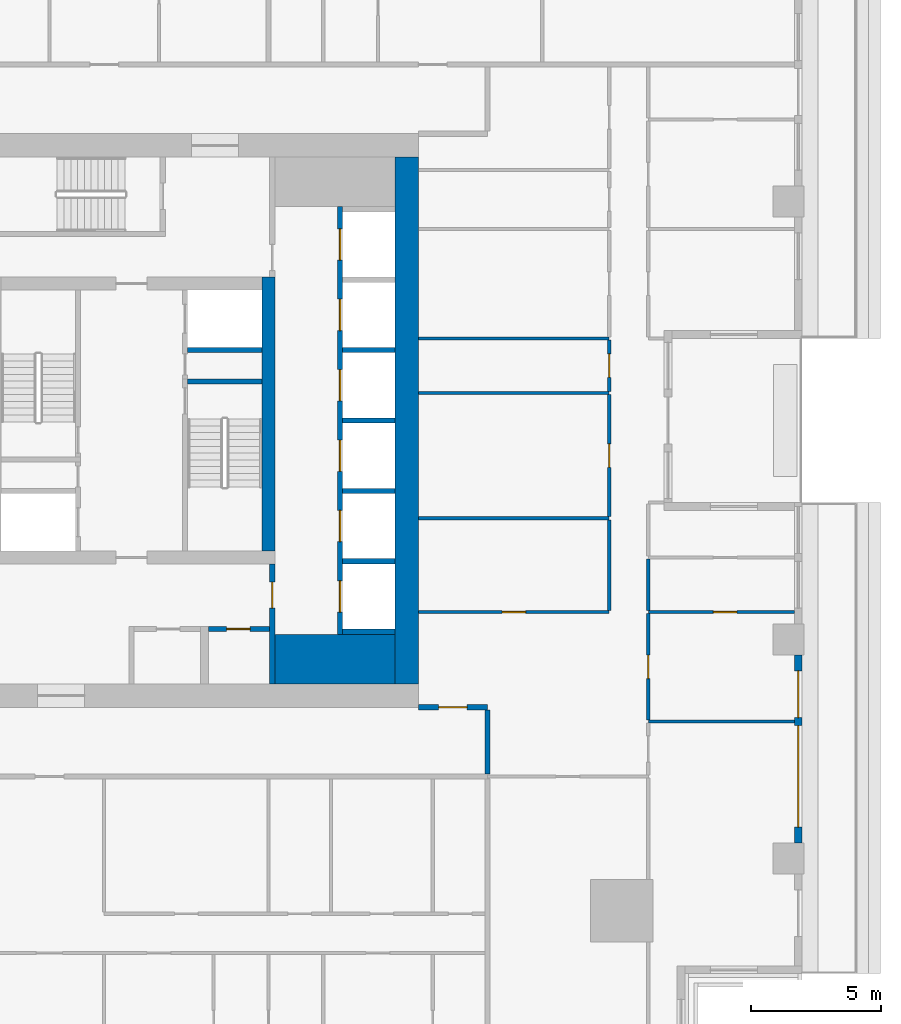
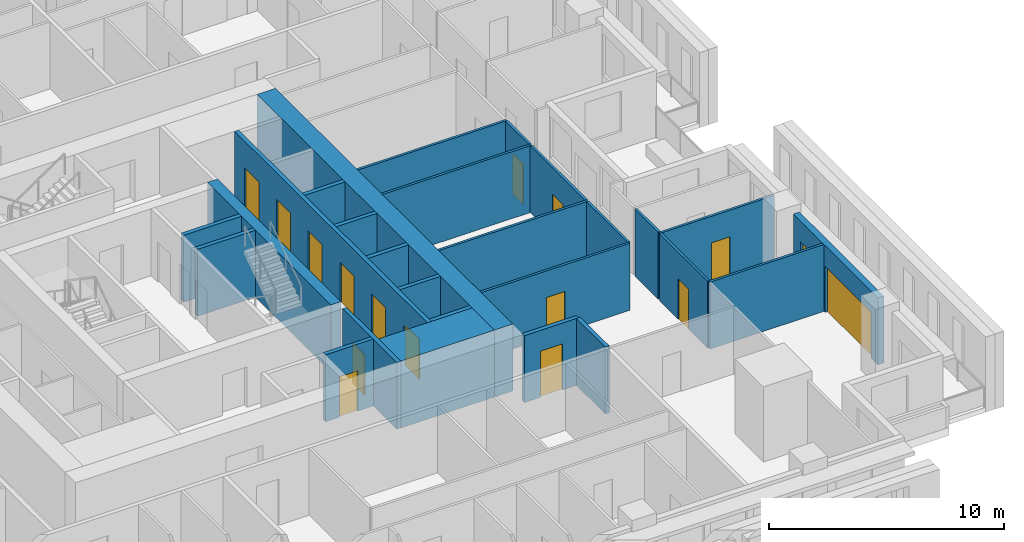
# One storey, part 6 of 17: 27 walls, 16 doors, 16 openings.
"""IFC4 building model written with IfcOpenShell, lengths in metres."""

from ifc_helpers import new_model, si_unit, direction, frame, frame_2d, origin, place, context, subcontext, project, spatial, rectangle, extrude, material, layer, layer_set, type_object, element, fill, save


model = new_model("IFC4")

# Units and contexts
model_context = context("Model", 3, precision=1e-05, world=origin(), true_north=direction((0.0, 1.0)))
body_context = subcontext(model_context, "Body", "Model", "MODEL_VIEW")
ifc_project = project(units=[si_unit("LENGTHUNIT", "METRE"), si_unit("AREAUNIT", "SQUARE_METRE"), si_unit("VOLUMEUNIT", "CUBIC_METRE"), si_unit("PLANEANGLEUNIT", "RADIAN"), si_unit("MASSUNIT", "GRAM", prefix="KILO")], contexts=[model_context])

# Site, building, storey
site_placement = place(None, origin())
site = spatial("IfcSite", under=ifc_project, at=site_placement, CompositionType="ELEMENT")
building_placement = place(site_placement, origin())
building = spatial("IfcBuilding", under=site, at=building_placement, Name="Khepri Terraces", CompositionType="ELEMENT")
storey_placement = place(building_placement, frame((0.0, 0.0, 188.39990234375)))
storey = spatial("IfcBuildingStorey", under=building, at=storey_placement, Name="L44", CompositionType="ELEMENT", Elevation=188.39990234375)

# Walls
ifc_material_1 = material(Name="Concrete C50/60", Category="concrete")
ifc_layer_1 = layer(ifc_material_1, 1.89990234375, Name="Concrete C50/60", Category="concrete")
ifc_layer_set_1 = layer_set([ifc_layer_1], Name="Concrete C50/60")
wall_type_1 = type_object("IfcWallType", Name="Core wall 1900 C50/60", PredefinedType="SHEAR", material=ifc_layer_set_1)
wall_1_placement = place(storey_placement, frame((5.5, -9.14990234375, 0.0), z_axis=(0.0, 0.0, 1.0), x_axis=(1.0, 0.0, 0.0)))
element("IfcWall", 1, at=wall_1_placement, inside=storey, type_object=wall_type_1, Name="Core wall PR02 L44", PredefinedType="SHEAR", context=body_context, shape_type="SweptSolid", body=[
    extrude(rectangle(XDim=4.60009765625, YDim=1.89990234375, at=frame_2d((2.300048828125, 0.0))), origin(), (0.0, 0.0, 1.0), 3.47998046875),
])
ifc_layer_2 = layer(ifc_material_1, 0.199951171875, Name="Concrete C50/60", Category="concrete")
ifc_layer_set_2 = layer_set([ifc_layer_2], Name="Concrete C50/60")
wall_type_2 = type_object("IfcWallType", Name="Core wall 200 C50/60", PredefinedType="SHEAR", material=ifc_layer_set_2)
wall_2_placement = place(storey_placement, frame((2.14990234375, 1.5, 0.0), z_axis=(0.0, 0.0, 1.0), x_axis=(1.0, 0.0, 0.0)))
element("IfcWall", 2, at=wall_2_placement, inside=storey, type_object=wall_type_2, Name="Core wall ST04 L44", PredefinedType="SHEAR", context=body_context, shape_type="SweptSolid", body=[
    extrude(rectangle(XDim=2.85009765625, YDim=0.199951171875, at=frame_2d((1.425048828125, 0.0))), origin(), (0.0, 0.0, 1.0), 3.47998046875),
])

# Wall, openings, doors
wall_3_placement = place(storey_placement, frame((8.0, -8.199951171875, 0.0), z_axis=(0.0, 0.0, 1.0), x_axis=(0.0, 1.0, 0.0)))
wall_3 = element("IfcWall", 3, at=wall_3_placement, inside=storey, type_object=wall_type_2, Name="Core wall SH02 L44", PredefinedType="SHEAR", context=body_context, shape_type="SweptSolid", body=[
    extrude(rectangle(XDim=16.39990234375, YDim=0.199951171875, at=frame_2d((8.199951171875, 0.0))), origin(), (0.0, 0.0, 1.0), 3.47998046875),
])
opening_1_placement = place(wall_3_placement, frame((0.85009765625, 0.0, 0.0)))
opening_1 = element("IfcOpeningElement", 4, at=opening_1_placement, cuts=wall_3, Name="Opening L44-C01", PredefinedType="OPENING", context=body_context, shape_type="SweptSolid", body=[
    extrude(rectangle(XDim=1.199951171875, YDim=2.10009765625, at=frame_2d((0.60009765625, 1.050048828125))), frame((0.0, 0.10986328125, 0.0), z_axis=(0.0, -1.0, 0.0), x_axis=(1.0, 0.0, 0.0)), (0.0, 0.0, 1.0), 0.219970703125),
])
opening_2_placement = place(wall_3_placement, frame((3.550048828125, 0.0, 0.0)))
opening_2 = element("IfcOpeningElement", 5, at=opening_2_placement, cuts=wall_3, Name="Opening L44-C02", PredefinedType="OPENING", context=body_context, shape_type="SweptSolid", body=[
    extrude(rectangle(XDim=1.199951171875, YDim=2.10009765625, at=frame_2d((0.60009765625, 1.050048828125))), frame((0.0, 0.10986328125, 0.0), z_axis=(0.0, -1.0, 0.0), x_axis=(1.0, 0.0, 0.0)), (0.0, 0.0, 1.0), 0.219970703125),
])
opening_3_placement = place(wall_3_placement, frame((6.25, 0.0, 0.0)))
opening_3 = element("IfcOpeningElement", 6, at=opening_3_placement, cuts=wall_3, Name="Opening L44-C03", PredefinedType="OPENING", context=body_context, shape_type="SweptSolid", body=[
    extrude(rectangle(XDim=1.199951171875, YDim=2.10009765625, at=frame_2d((0.60009765625, 1.050048828125))), frame((0.0, 0.10986328125, 0.0), z_axis=(0.0, -1.0, 0.0), x_axis=(1.0, 0.0, 0.0)), (0.0, 0.0, 1.0), 0.219970703125),
])
opening_4_placement = place(wall_3_placement, frame((8.949951171875, 0.0, 0.0)))
opening_4 = element("IfcOpeningElement", 7, at=opening_4_placement, cuts=wall_3, Name="Opening L44-C04", PredefinedType="OPENING", context=body_context, shape_type="SweptSolid", body=[
    extrude(rectangle(XDim=1.199951171875, YDim=2.10009765625, at=frame_2d((0.60009765625, 1.050048828125))), frame((0.0, 0.10986328125, 0.0), z_axis=(0.0, -1.0, 0.0), x_axis=(1.0, 0.0, 0.0)), (0.0, 0.0, 1.0), 0.219970703125),
])
opening_5_placement = place(wall_3_placement, frame((11.64990234375, 0.0, 0.0)))
opening_5 = element("IfcOpeningElement", 8, at=opening_5_placement, cuts=wall_3, Name="Opening L44-C05", PredefinedType="OPENING", context=body_context, shape_type="SweptSolid", body=[
    extrude(rectangle(XDim=1.199951171875, YDim=2.10009765625, at=frame_2d((0.60009765625, 1.050048828125))), frame((0.0, 0.10986328125, 0.0), z_axis=(0.0, -1.0, 0.0), x_axis=(1.0, 0.0, 0.0)), (0.0, 0.0, 1.0), 0.219970703125),
])
opening_6_placement = place(wall_3_placement, frame((14.35009765625, 0.0, 0.0)))
opening_6 = element("IfcOpeningElement", 9, at=opening_6_placement, cuts=wall_3, Name="Opening L44-C06", PredefinedType="OPENING", context=body_context, shape_type="SweptSolid", body=[
    extrude(rectangle(XDim=1.199951171875, YDim=2.10009765625, at=frame_2d((0.60009765625, 1.050048828125))), frame((0.0, 0.10986328125, 0.0), z_axis=(0.0, -1.0, 0.0), x_axis=(1.0, 0.0, 0.0)), (0.0, 0.0, 1.0), 0.219970703125),
])
ifc_material_2 = material(Name="Stainless steel 304", Category="steel")
door_type_1 = type_object("IfcDoorType", Name="DR-CORE-LANDING-1200", OperationType="NOTDEFINED", PredefinedType="DOOR", material=ifc_material_2)
door_1_placement = place(opening_1_placement, origin())
door_1 = element("IfcDoor", 10, at=door_1_placement, inside=storey, type_object=door_type_1, Name="Lift landing door L44-C01", OperationType="SLIDING_TO_LEFT", OverallHeight=2.10009765625, OverallWidth=1.199951171875, PredefinedType="DOOR", context=body_context, shape_type="SweptSolid", body=[
    extrude(rectangle(XDim=1.199951171875, YDim=2.10009765625, at=frame_2d((0.60009765625, 1.050048828125))), frame((0.0, 0.02490234375, 0.0), z_axis=(0.0, -1.0, 0.0), x_axis=(1.0, 0.0, 0.0)), (0.0, 0.0, 1.0), 0.050048828125),
])
fill(opening_1, door_1)
door_2_placement = place(opening_2_placement, origin())
door_2 = element("IfcDoor", 11, at=door_2_placement, inside=storey, type_object=door_type_1, Name="Lift landing door L44-C02", OperationType="SLIDING_TO_LEFT", OverallHeight=2.10009765625, OverallWidth=1.199951171875, PredefinedType="DOOR", context=body_context, shape_type="SweptSolid", body=[
    extrude(rectangle(XDim=1.199951171875, YDim=2.10009765625, at=frame_2d((0.60009765625, 1.050048828125))), frame((0.0, 0.02490234375, 0.0), z_axis=(0.0, -1.0, 0.0), x_axis=(1.0, 0.0, 0.0)), (0.0, 0.0, 1.0), 0.050048828125),
])
fill(opening_2, door_2)
door_3_placement = place(opening_3_placement, origin())
door_3 = element("IfcDoor", 12, at=door_3_placement, inside=storey, type_object=door_type_1, Name="Lift landing door L44-C03", OperationType="SLIDING_TO_LEFT", OverallHeight=2.10009765625, OverallWidth=1.199951171875, PredefinedType="DOOR", context=body_context, shape_type="SweptSolid", body=[
    extrude(rectangle(XDim=1.199951171875, YDim=2.10009765625, at=frame_2d((0.60009765625, 1.050048828125))), frame((0.0, 0.02490234375, 0.0), z_axis=(0.0, -1.0, 0.0), x_axis=(1.0, 0.0, 0.0)), (0.0, 0.0, 1.0), 0.050048828125),
])
fill(opening_3, door_3)
door_4_placement = place(opening_4_placement, origin())
door_4 = element("IfcDoor", 13, at=door_4_placement, inside=storey, type_object=door_type_1, Name="Lift landing door L44-C04", OperationType="SLIDING_TO_LEFT", OverallHeight=2.10009765625, OverallWidth=1.199951171875, PredefinedType="DOOR", context=body_context, shape_type="SweptSolid", body=[
    extrude(rectangle(XDim=1.199951171875, YDim=2.10009765625, at=frame_2d((0.60009765625, 1.050048828125))), frame((0.0, 0.02490234375, 0.0), z_axis=(0.0, -1.0, 0.0), x_axis=(1.0, 0.0, 0.0)), (0.0, 0.0, 1.0), 0.050048828125),
])
fill(opening_4, door_4)
door_5_placement = place(opening_5_placement, origin())
door_5 = element("IfcDoor", 14, at=door_5_placement, inside=storey, type_object=door_type_1, Name="Lift landing door L44-C05", OperationType="SLIDING_TO_LEFT", OverallHeight=2.10009765625, OverallWidth=1.199951171875, PredefinedType="DOOR", context=body_context, shape_type="SweptSolid", body=[
    extrude(rectangle(XDim=1.199951171875, YDim=2.10009765625, at=frame_2d((0.60009765625, 1.050048828125))), frame((0.0, 0.02490234375, 0.0), z_axis=(0.0, -1.0, 0.0), x_axis=(1.0, 0.0, 0.0)), (0.0, 0.0, 1.0), 0.050048828125),
])
fill(opening_5, door_5)
door_6_placement = place(opening_6_placement, origin())
door_6 = element("IfcDoor", 15, at=door_6_placement, inside=storey, type_object=door_type_1, Name="Lift landing door L44-C06", OperationType="SLIDING_TO_LEFT", OverallHeight=2.10009765625, OverallWidth=1.199951171875, PredefinedType="DOOR", context=body_context, shape_type="SweptSolid", body=[
    extrude(rectangle(XDim=1.199951171875, YDim=2.10009765625, at=frame_2d((0.60009765625, 1.050048828125))), frame((0.0, 0.02490234375, 0.0), z_axis=(0.0, -1.0, 0.0), x_axis=(1.0, 0.0, 0.0)), (0.0, 0.0, 1.0), 0.050048828125),
])
fill(opening_6, door_6)

# Walls
for number, where, z_axis, x_axis, name in (
    (16, (8.10009765625, -8.10009765625, 0.0), (0.0, 0.0, 1.0), (1.0, 0.0, 0.0), "Core wall SH03 L44"),
    (17, (8.10009765625, -5.39990234375, 0.0), (0.0, 0.0, 1.0), (1.0, 0.0, 0.0), "Core wall SH04 L44"),
    (18, (8.10009765625, -2.699951171875, 0.0), (0.0, 0.0, 1.0), (1.0, 0.0, 0.0), "Core wall SH08 L44"),
    (19, (8.10009765625, 0.0, 0.0), (0.0, 0.0, 1.0), (1.0, 0.0, 0.0), "Core wall SH09 L44"),
):
    element("IfcWall", number, at=place(storey_placement, frame(where, z_axis=z_axis, x_axis=x_axis)), inside=storey, type_object=wall_type_2, Name=name, PredefinedType="SHEAR", context=body_context, shape_type="SweptSolid", body=[
        extrude(rectangle(XDim=2.0, YDim=0.199951171875, at=frame_2d((1.0, 0.0))), origin(), (0.0, 0.0, 1.0), 3.47998046875),
    ])
wall_4_placement = place(storey_placement, frame((2.14990234375, 2.699951171875, 0.0), z_axis=(0.0, 0.0, 1.0), x_axis=(1.0, 0.0, 0.0)))
element("IfcWall", 20, at=wall_4_placement, inside=storey, type_object=wall_type_2, Name="Core wall SH12 L44", PredefinedType="SHEAR", context=body_context, shape_type="SweptSolid", body=[
    extrude(rectangle(XDim=2.85009765625, YDim=0.199951171875, at=frame_2d((1.425048828125, 0.0))), origin(), (0.0, 0.0, 1.0), 3.47998046875),
])
wall_5_placement = place(storey_placement, frame((8.10009765625, 2.699951171875, 0.0), z_axis=(0.0, 0.0, 1.0), x_axis=(1.0, 0.0, 0.0)))
element("IfcWall", 21, at=wall_5_placement, inside=storey, type_object=wall_type_2, Name="Core wall SH13 L44", PredefinedType="SHEAR", context=body_context, shape_type="SweptSolid", body=[
    extrude(rectangle(XDim=2.0, YDim=0.199951171875, at=frame_2d((1.0, 0.0))), origin(), (0.0, 0.0, 1.0), 3.47998046875),
])
ifc_layer_3 = layer(ifc_material_1, 0.5, Name="Concrete C50/60", Category="concrete")
ifc_layer_set_3 = layer_set([ifc_layer_3], Name="Concrete C50/60")
wall_type_3 = type_object("IfcWallType", Name="Core wall 500 C50/60", PredefinedType="SHEAR", material=ifc_layer_set_3)
wall_6_placement = place(storey_placement, frame((5.25, -5.0, 0.0), z_axis=(0.0, 0.0, 1.0), x_axis=(0.0, 1.0, 0.0)))
element("IfcWall", 22, at=wall_6_placement, inside=storey, type_object=wall_type_3, Name="Core wall BX03 L44", PredefinedType="SHEAR", context=body_context, shape_type="SweptSolid", body=[
    extrude(rectangle(XDim=10.5, YDim=0.5, at=frame_2d((5.25, 0.0))), origin(), (0.0, 0.0, 1.0), 3.47998046875),
])
ifc_layer_4 = layer(ifc_material_1, 0.89990234375, Name="Concrete C50/60", Category="concrete")
ifc_layer_set_4 = layer_set([ifc_layer_4], Name="Concrete C50/60")
wall_type_4 = type_object("IfcWallType", Name="Core wall 900 C50/60", PredefinedType="SHEAR", material=ifc_layer_set_4)
wall_7_placement = place(storey_placement, frame((10.550048828125, -10.10009765625, 0.0), z_axis=(0.0, 0.0, 1.0), x_axis=(0.0, 1.0, 0.0)))
element("IfcWall", 23, at=wall_7_placement, inside=storey, type_object=wall_type_4, Name="Core wall OW-E L44", PredefinedType="SHEAR", context=body_context, shape_type="SweptSolid", body=[
    extrude(rectangle(XDim=20.2001953125, YDim=0.89990234375, at=frame_2d((10.10009765625, 0.0))), origin(), (0.0, 0.0, 1.0), 3.47998046875),
])

# Wall, opening, door
ifc_material_3 = material(Name="Fire-rated gypsum board partition")
ifc_layer_5 = layer(ifc_material_3, 0.199951171875, Name="Fire-rated gypsum board partition")
ifc_layer_set_5 = layer_set([ifc_layer_5], Name="Fire-rated gypsum board partition")
wall_type_5 = type_object("IfcWallType", Name="WL-CORE-PART-200", PredefinedType="PARTITIONING", material=ifc_layer_set_5)
wall_8_placement = place(storey_placement, frame((5.39990234375, -10.10009765625, 0.0), z_axis=(0.0, 0.0, 1.0), x_axis=(0.0, 1.0, 0.0)))
wall_8 = element("IfcWall", 24, at=wall_8_placement, inside=storey, type_object=wall_type_5, Name="Core partition PT04 L44", PredefinedType="PARTITIONING", context=body_context, shape_type="SweptSolid", body=[
    extrude(rectangle(XDim=4.60009765625, YDim=0.199951171875, at=frame_2d((2.300048828125, 0.0))), origin(), (0.0, 0.0, 1.0), 3.47998046875),
])
opening_7_placement = place(wall_8_placement, frame((2.89990234375, 0.0, 0.0)))
opening_7 = element("IfcOpeningElement", 25, at=opening_7_placement, cuts=wall_8, Name="Opening L44-C19", PredefinedType="OPENING", context=body_context, shape_type="SweptSolid", body=[
    extrude(rectangle(XDim=1.0, YDim=2.10009765625, at=frame_2d((0.5, 1.050048828125))), frame((0.0, 0.10986328125, 0.0), z_axis=(0.0, -1.0, 0.0), x_axis=(1.0, 0.0, 0.0)), (0.0, 0.0, 1.0), 0.219970703125),
])
ifc_material_4 = material(Name="Painted steel", Category="steel")
door_type_2 = type_object("IfcDoorType", Name="DR-CORE-LOBBY-1000", OperationType="NOTDEFINED", PredefinedType="DOOR", material=ifc_material_4)
door_7_placement = place(opening_7_placement, origin())
door_7 = element("IfcDoor", 26, at=door_7_placement, inside=storey, type_object=door_type_2, Name="Lobby door L44-C19", OperationType="SINGLE_SWING_RIGHT", OverallHeight=2.10009765625, OverallWidth=1.0, PredefinedType="DOOR", context=body_context, shape_type="SweptSolid", body=[
    extrude(rectangle(XDim=1.0, YDim=2.10009765625, at=frame_2d((0.5, 1.050048828125))), frame((0.0, 0.02490234375, 0.0), z_axis=(0.0, -1.0, 0.0), x_axis=(1.0, 0.0, 0.0)), (0.0, 0.0, 1.0), 0.050048828125),
])
fill(opening_7, door_7)

wall_9_placement = place(storey_placement, frame((2.949951171875, -8.0, 0.0), z_axis=(0.0, 0.0, 1.0), x_axis=(1.0, 0.0, 0.0)))
wall_9 = element("IfcWall", 27, at=wall_9_placement, inside=storey, type_object=wall_type_5, Name="Core partition PT07 L44", PredefinedType="PARTITIONING", context=body_context, shape_type="SweptSolid", body=[
    extrude(rectangle(XDim=2.35009765625, YDim=0.199951171875, at=frame_2d((1.175048828125, 0.0))), origin(), (0.0, 0.0, 1.0), 3.47998046875),
])
opening_8_placement = place(wall_9_placement, frame((0.699951171875, 0.0, 0.0)))
opening_8 = element("IfcOpeningElement", 28, at=opening_8_placement, cuts=wall_9, Name="Opening L44-C23", PredefinedType="OPENING", context=body_context, shape_type="SweptSolid", body=[
    extrude(rectangle(XDim=0.89990234375, YDim=2.10009765625, at=frame_2d((0.449951171875, 1.050048828125))), frame((0.0, 0.10986328125, 0.0), z_axis=(0.0, -1.0, 0.0), x_axis=(1.0, 0.0, 0.0)), (0.0, 0.0, 1.0), 0.219970703125),
])
door_type_3 = type_object("IfcDoorType", Name="DR-CORE-SERVICE-900", OperationType="NOTDEFINED", PredefinedType="DOOR", material=ifc_material_4)
door_8_placement = place(opening_8_placement, frame((0.89990234375, 0.0, 0.0), z_axis=(0.0, 0.0, 1.0), x_axis=(-1.0, 0.0, 0.0)))
door_8 = element("IfcDoor", 29, at=door_8_placement, inside=storey, type_object=door_type_3, Name="Service room door L44-C23", OperationType="SINGLE_SWING_RIGHT", OverallHeight=2.10009765625, OverallWidth=0.89990234375, PredefinedType="DOOR", context=body_context, shape_type="SweptSolid", body=[
    extrude(rectangle(XDim=0.89990234375, YDim=2.10009765625, at=frame_2d((0.449951171875, 1.050048828125))), frame((0.0, 0.02490234375, 0.0), z_axis=(0.0, -1.0, 0.0), x_axis=(1.0, 0.0, 0.0)), (0.0, 0.0, 1.0), 0.050048828125),
])
fill(opening_8, door_8)

# Wall
ifc_material_5 = material(Name="Fire-rated gypsum plasterboard partition, mineral wool")
ifc_layer_6 = layer(ifc_material_5, 0.199951171875, Name="Fire-rated gypsum plasterboard partition, mineral wool")
ifc_layer_set_6 = layer_set([ifc_layer_6], Name="Fire-rated gypsum plasterboard partition, mineral wool")
wall_type_6 = type_object("IfcWallType", Name="WL-CORR-200", PredefinedType="PARTITIONING", material=ifc_layer_set_6)
wall_10_placement = place(storey_placement, frame((13.64990234375, -13.550048828125, 0.0), z_axis=(0.0, 0.0, 1.0), x_axis=(0.0, 1.0, 0.0)))
element("IfcWall", 30, at=wall_10_placement, inside=storey, type_object=wall_type_6, Name="Partition P-030 L44", PredefinedType="PARTITIONING", context=body_context, shape_type="SweptSolid", body=[
    extrude(rectangle(XDim=2.449951171875, YDim=0.199951171875, at=frame_2d((1.22509765625, 0.0))), origin(), (0.0, 0.0, 1.0), 3.47998046875),
])

# Wall, opening, door
wall_11_placement = place(storey_placement, frame((11.0, -11.0, 0.0), z_axis=(0.0, 0.0, 1.0), x_axis=(1.0, 0.0, 0.0)))
wall_11 = element("IfcWall", 31, at=wall_11_placement, inside=storey, type_object=wall_type_6, Name="Partition P-035 L44", PredefinedType="PARTITIONING", context=body_context, shape_type="SweptSolid", body=[
    extrude(rectangle(XDim=2.64990234375, YDim=0.199951171875, at=frame_2d((1.324951171875, 0.0))), origin(), (0.0, 0.0, 1.0), 3.47998046875),
])
opening_9_placement = place(wall_11_placement, frame((0.77490234375, 0.0, 0.0)))
opening_9 = element("IfcOpeningElement", 32, at=opening_9_placement, cuts=wall_11, Name="Opening D1", PredefinedType="OPENING", context=body_context, shape_type="SweptSolid", body=[
    extrude(rectangle(XDim=1.10009765625, YDim=2.39990234375, at=frame_2d((0.550048828125, 1.199951171875))), frame((0.0, 0.10986328125, 0.0), z_axis=(0.0, -1.0, 0.0), x_axis=(1.0, 0.0, 0.0)), (0.0, 0.0, 1.0), 0.219970703125),
])
ifc_material_6 = material(Name="Solid-core timber door leaf, flat entrance door", Category="wood")
door_type_4 = type_object("IfcDoorType", Name="DR-ENT-1100", OperationType="NOTDEFINED", PredefinedType="DOOR", material=ifc_material_6)
door_9_placement = place(opening_9_placement, origin())
door_9 = element("IfcDoor", 33, at=door_9_placement, inside=storey, type_object=door_type_4, Name="Flat B1 entrance door", OperationType="SINGLE_SWING_LEFT", OverallHeight=2.39990234375, OverallWidth=1.10009765625, PredefinedType="DOOR", context=body_context, shape_type="SweptSolid", body=[
    extrude(rectangle(XDim=1.10009765625, YDim=2.39990234375, at=frame_2d((0.550048828125, 1.199951171875))), frame((0.0, 0.02490234375, 0.0), z_axis=(0.0, -1.0, 0.0), x_axis=(1.0, 0.0, 0.0)), (0.0, 0.0, 1.0), 0.050048828125),
])
fill(opening_9, door_9)

# Wall, openings, doors
ifc_material_7 = material(Name="Precast concrete C50/60 warm stone", Category="masonry")
ifc_layer_7 = layer(ifc_material_7, 0.300048828125, Name="Precast concrete C50/60 warm stone", Category="masonry")
ifc_layer_set_7 = layer_set([ifc_layer_7], Name="Precast concrete C50/60 warm stone")
wall_type_7 = type_object("IfcWallType", Name="WL-EXT-PRECAST-300", PredefinedType="STANDARD", material=ifc_layer_set_7)
wall_12_placement = place(storey_placement, frame((25.570068359375, -16.199951171875, 0.0), z_axis=(0.0, 0.0, 1.0), x_axis=(0.0, 1.0, 0.0)))
wall_12 = element("IfcWall", 34, at=wall_12_placement, inside=storey, type_object=wall_type_7, Name="External wall L44 E", PredefinedType="STANDARD", context=body_context, shape_type="SweptSolid", body=[
    extrude(rectangle(XDim=7.199951171875, YDim=0.300048828125, at=frame_2d((3.60009765625, 0.0))), origin(), (0.0, 0.0, 1.0), 3.47998046875),
])
opening_10_placement = place(wall_12_placement, frame((0.60009765625, 0.0, 0.0)))
opening_10 = element("IfcOpeningElement", 35, at=opening_10_placement, cuts=wall_12, Name="Opening ED-L44-02", PredefinedType="OPENING", context=body_context, shape_type="SweptSolid", body=[
    extrude(rectangle(XDim=3.89990234375, YDim=2.39990234375, at=frame_2d((1.949951171875, 1.199951171875))), frame((0.0, 0.16015625, 0.0), z_axis=(0.0, -1.0, 0.0), x_axis=(1.0, 0.0, 0.0)), (0.0, 0.0, 1.0), 0.320068359375),
])
opening_11_placement = place(wall_12_placement, frame((4.800048828125, 0.0, 0.0)))
opening_11 = element("IfcOpeningElement", 36, at=opening_11_placement, cuts=wall_12, Name="Opening ED-L44-03", PredefinedType="OPENING", context=body_context, shape_type="SweptSolid", body=[
    extrude(rectangle(XDim=1.800048828125, YDim=2.39990234375, at=frame_2d((0.89990234375, 1.199951171875))), frame((0.0, 0.16015625, 0.0), z_axis=(0.0, -1.0, 0.0), x_axis=(1.0, 0.0, 0.0)), (0.0, 0.0, 1.0), 0.320068359375),
])
ifc_material_8 = material(Name="Anodised aluminium bronze glazed door", Category="aluminium")
door_type_5 = type_object("IfcDoorType", Name="DR-BAL-SLIDE-1800x2400", OperationType="NOTDEFINED", PredefinedType="DOOR", material=ifc_material_8)
door_10_placement = place(opening_11_placement, origin())
door_10 = element("IfcDoor", 37, at=door_10_placement, inside=storey, type_object=door_type_5, Name="Balcony door L44 E", OperationType="SLIDING_TO_RIGHT", OverallHeight=2.39990234375, OverallWidth=1.800048828125, PredefinedType="DOOR", context=body_context, shape_type="SweptSolid", body=[
    extrude(rectangle(XDim=1.800048828125, YDim=2.39990234375, at=frame_2d((0.89990234375, 1.199951171875))), frame((0.0, 0.02490234375, 0.0), z_axis=(0.0, -1.0, 0.0), x_axis=(1.0, 0.0, 0.0)), (0.0, 0.0, 1.0), 0.050048828125),
])
fill(opening_11, door_10)
door_type_6 = type_object("IfcDoorType", Name="DR-BAL-SLIDE-3900x2400", OperationType="NOTDEFINED", PredefinedType="DOOR", material=ifc_material_8)
door_11_placement = place(opening_10_placement, origin())
door_11 = element("IfcDoor", 38, at=door_11_placement, inside=storey, type_object=door_type_6, Name="Balcony door L44 E", OperationType="SLIDING_TO_LEFT", OverallHeight=2.39990234375, OverallWidth=3.89990234375, PredefinedType="DOOR", context=body_context, shape_type="SweptSolid", body=[
    extrude(rectangle(XDim=3.89990234375, YDim=2.39990234375, at=frame_2d((1.949951171875, 1.199951171875))), frame((0.0, 0.02490234375, 0.0), z_axis=(0.0, -1.0, 0.0), x_axis=(1.0, 0.0, 0.0)), (0.0, 0.0, 1.0), 0.050048828125),
])
fill(opening_10, door_11)

# Wall
ifc_material_9 = material(Name="Gypsum plasterboard partition")
ifc_layer_8 = layer(ifc_material_9, 0.1201171875, Name="Gypsum plasterboard partition")
ifc_layer_set_8 = layer_set([ifc_layer_8], Name="Gypsum plasterboard partition")
wall_type_8 = type_object("IfcWallType", Name="WL-PART-120", PredefinedType="PARTITIONING", material=ifc_layer_set_8)
wall_13_placement = place(storey_placement, frame((19.820068359375, -11.550048828125, 0.0), z_axis=(0.0, 0.0, 1.0), x_axis=(1.0, 0.0, 0.0)))
element("IfcWall", 39, at=wall_13_placement, inside=storey, type_object=wall_type_8, Name="Partition P-032 L44", PredefinedType="PARTITIONING", context=body_context, shape_type="SweptSolid", body=[
    extrude(rectangle(XDim=5.599853515625, YDim=0.1201171875, at=frame_2d((2.7998046875, 0.0))), origin(), (0.0, 0.0, 1.0), 3.47998046875),
])

# Wall, opening, door
wall_14_placement = place(storey_placement, frame((19.820068359375, -11.489990234375, 0.0), z_axis=(0.0, 0.0, 1.0), x_axis=(0.0, 1.0, 0.0)))
wall_14 = element("IfcWall", 40, at=wall_14_placement, inside=storey, type_object=wall_type_8, Name="Partition P-034 L44", PredefinedType="PARTITIONING", context=body_context, shape_type="SweptSolid", body=[
    extrude(rectangle(XDim=4.080078125, YDim=0.1201171875, at=frame_2d((2.0400390625, 0.0))), origin(), (0.0, 0.0, 1.0), 3.47998046875),
])
opening_12_placement = place(wall_14_placement, frame((1.590087890625, 0.0, 0.0)))
opening_12 = element("IfcOpeningElement", 41, at=opening_12_placement, cuts=wall_14, Name="Opening D3", PredefinedType="OPENING", context=body_context, shape_type="SweptSolid", body=[
    extrude(rectangle(XDim=0.89990234375, YDim=2.10009765625, at=frame_2d((0.449951171875, 1.050048828125))), frame((0.0, 0.070068359375, 0.0), z_axis=(0.0, -1.0, 0.0), x_axis=(1.0, 0.0, 0.0)), (0.0, 0.0, 1.0), 0.14013671875),
])
ifc_material_10 = material(Name="Timber door leaf", Category="wood")
door_type_7 = type_object("IfcDoorType", Name="DR-INT-900", OperationType="NOTDEFINED", PredefinedType="DOOR", material=ifc_material_10)
door_12_placement = place(opening_12_placement, frame((0.89990234375, 0.0, 0.0), z_axis=(0.0, 0.0, 1.0), x_axis=(-1.0, 0.0, 0.0)))
door_12 = element("IfcDoor", 42, at=door_12_placement, inside=storey, type_object=door_type_7, Name="Door Master Bedroom", OperationType="SINGLE_SWING_LEFT", OverallHeight=2.10009765625, OverallWidth=0.89990234375, PredefinedType="DOOR", context=body_context, shape_type="SweptSolid", body=[
    extrude(rectangle(XDim=0.89990234375, YDim=2.10009765625, at=frame_2d((0.449951171875, 1.050048828125))), frame((0.0, 0.02490234375, 0.0), z_axis=(0.0, -1.0, 0.0), x_axis=(1.0, 0.0, 0.0)), (0.0, 0.0, 1.0), 0.050048828125),
])
fill(opening_12, door_12)

wall_15_placement = place(storey_placement, frame((11.0, -7.35009765625, 0.0), z_axis=(0.0, 0.0, 1.0), x_axis=(1.0, 0.0, 0.0)))
wall_15 = element("IfcWall", 43, at=wall_15_placement, inside=storey, type_object=wall_type_8, Name="Partition P-041 L44", PredefinedType="PARTITIONING", context=body_context, shape_type="SweptSolid", body=[
    extrude(rectangle(XDim=7.320068359375, YDim=0.1201171875, at=frame_2d((3.66015625, 0.0))), origin(), (0.0, 0.0, 1.0), 3.47998046875),
])
opening_13_placement = place(wall_15_placement, frame((3.2099609375, 0.0, 0.0)))
opening_13 = element("IfcOpeningElement", 44, at=opening_13_placement, cuts=wall_15, Name="Opening D3", PredefinedType="OPENING", context=body_context, shape_type="SweptSolid", body=[
    extrude(rectangle(XDim=0.89990234375, YDim=2.10009765625, at=frame_2d((0.449951171875, 1.050048828125))), frame((0.0, 0.070068359375, 0.0), z_axis=(0.0, -1.0, 0.0), x_axis=(1.0, 0.0, 0.0)), (0.0, 0.0, 1.0), 0.14013671875),
])
door_13_placement = place(opening_13_placement, origin())
door_13 = element("IfcDoor", 45, at=door_13_placement, inside=storey, type_object=door_type_7, Name="Door Kitchen", OperationType="SINGLE_SWING_RIGHT", OverallHeight=2.10009765625, OverallWidth=0.89990234375, PredefinedType="DOOR", context=body_context, shape_type="SweptSolid", body=[
    extrude(rectangle(XDim=0.89990234375, YDim=2.10009765625, at=frame_2d((0.449951171875, 1.050048828125))), frame((0.0, 0.02490234375, 0.0), z_axis=(0.0, -1.0, 0.0), x_axis=(1.0, 0.0, 0.0)), (0.0, 0.0, 1.0), 0.050048828125),
])
fill(opening_13, door_13)

wall_16_placement = place(storey_placement, frame((19.820068359375, -7.35009765625, 0.0), z_axis=(0.0, 0.0, 1.0), x_axis=(1.0, 0.0, 0.0)))
wall_16 = element("IfcWall", 46, at=wall_16_placement, inside=storey, type_object=wall_type_8, Name="Partition P-042 L44", PredefinedType="PARTITIONING", context=body_context, shape_type="SweptSolid", body=[
    extrude(rectangle(XDim=5.599853515625, YDim=0.1201171875, at=frame_2d((2.7998046875, 0.0))), origin(), (0.0, 0.0, 1.0), 3.47998046875),
])
opening_14_placement = place(wall_16_placement, frame((2.5, 0.0, 0.0)))
opening_14 = element("IfcOpeningElement", 47, at=opening_14_placement, cuts=wall_16, Name="Opening D3", PredefinedType="OPENING", context=body_context, shape_type="SweptSolid", body=[
    extrude(rectangle(XDim=0.89990234375, YDim=2.10009765625, at=frame_2d((0.449951171875, 1.050048828125))), frame((0.0, 0.070068359375, 0.0), z_axis=(0.0, -1.0, 0.0), x_axis=(1.0, 0.0, 0.0)), (0.0, 0.0, 1.0), 0.14013671875),
])
door_14_placement = place(opening_14_placement, origin())
door_14 = element("IfcDoor", 48, at=door_14_placement, inside=storey, type_object=door_type_7, Name="Door Dressing Room", OperationType="SINGLE_SWING_RIGHT", OverallHeight=2.10009765625, OverallWidth=0.89990234375, PredefinedType="DOOR", context=body_context, shape_type="SweptSolid", body=[
    extrude(rectangle(XDim=0.89990234375, YDim=2.10009765625, at=frame_2d((0.449951171875, 1.050048828125))), frame((0.0, 0.02490234375, 0.0), z_axis=(0.0, -1.0, 0.0), x_axis=(1.0, 0.0, 0.0)), (0.0, 0.0, 1.0), 0.050048828125),
])
fill(opening_14, door_14)

# Walls
wall_17_placement = place(storey_placement, frame((18.320068359375, -7.2900390625, 0.0), z_axis=(0.0, 0.0, 1.0), x_axis=(0.0, 1.0, 0.0)))
element("IfcWall", 49, at=wall_17_placement, inside=storey, type_object=wall_type_8, Name="Partition P-044 L44", PredefinedType="PARTITIONING", context=body_context, shape_type="SweptSolid", body=[
    extrude(rectangle(XDim=3.47998046875, YDim=0.1201171875, at=frame_2d((1.739990234375, 0.0))), origin(), (0.0, 0.0, 1.0), 3.47998046875),
])
wall_18_placement = place(storey_placement, frame((19.820068359375, -7.2900390625, 0.0), z_axis=(0.0, 0.0, 1.0), x_axis=(0.0, 1.0, 0.0)))
element("IfcWall", 50, at=wall_18_placement, inside=storey, type_object=wall_type_8, Name="Partition P-045 L44", PredefinedType="PARTITIONING", context=body_context, shape_type="SweptSolid", body=[
    extrude(rectangle(XDim=1.97998046875, YDim=0.1201171875, at=frame_2d((0.989990234375, 0.0))), origin(), (0.0, 0.0, 1.0), 3.47998046875),
])
wall_19_placement = place(storey_placement, frame((11.0, -3.75, 0.0), z_axis=(0.0, 0.0, 1.0), x_axis=(1.0, 0.0, 0.0)))
element("IfcWall", 51, at=wall_19_placement, inside=storey, type_object=wall_type_8, Name="Partition P-050 L44", PredefinedType="PARTITIONING", context=body_context, shape_type="SweptSolid", body=[
    extrude(rectangle(XDim=7.320068359375, YDim=0.1201171875, at=frame_2d((3.66015625, 0.0))), origin(), (0.0, 0.0, 1.0), 3.47998046875),
])

# Wall, opening, door
wall_20_placement = place(storey_placement, frame((18.320068359375, -3.68994140625, 0.0), z_axis=(0.0, 0.0, 1.0), x_axis=(0.0, 1.0, 0.0)))
wall_20 = element("IfcWall", 52, at=wall_20_placement, inside=storey, type_object=wall_type_8, Name="Partition P-051 L44", PredefinedType="PARTITIONING", context=body_context, shape_type="SweptSolid", body=[
    extrude(rectangle(XDim=4.679931640625, YDim=0.1201171875, at=frame_2d((2.33984375, 0.0))), origin(), (0.0, 0.0, 1.0), 3.47998046875),
])
opening_15_placement = place(wall_20_placement, frame((1.889892578125, 0.0, 0.0)))
opening_15 = element("IfcOpeningElement", 53, at=opening_15_placement, cuts=wall_20, Name="Opening D3", PredefinedType="OPENING", context=body_context, shape_type="SweptSolid", body=[
    extrude(rectangle(XDim=0.89990234375, YDim=2.10009765625, at=frame_2d((0.449951171875, 1.050048828125))), frame((0.0, 0.070068359375, 0.0), z_axis=(0.0, -1.0, 0.0), x_axis=(1.0, 0.0, 0.0)), (0.0, 0.0, 1.0), 0.14013671875),
])
door_15_placement = place(opening_15_placement, origin())
door_15 = element("IfcDoor", 54, at=door_15_placement, inside=storey, type_object=door_type_7, Name="Door Service Store", OperationType="SINGLE_SWING_RIGHT", OverallHeight=2.10009765625, OverallWidth=0.89990234375, PredefinedType="DOOR", context=body_context, shape_type="SweptSolid", body=[
    extrude(rectangle(XDim=0.89990234375, YDim=2.10009765625, at=frame_2d((0.449951171875, 1.050048828125))), frame((0.0, 0.02490234375, 0.0), z_axis=(0.0, -1.0, 0.0), x_axis=(1.0, 0.0, 0.0)), (0.0, 0.0, 1.0), 0.050048828125),
])
fill(opening_15, door_15)

# Wall
wall_21_placement = place(storey_placement, frame((11.0, 1.050048828125, 0.0), z_axis=(0.0, 0.0, 1.0), x_axis=(1.0, 0.0, 0.0)))
element("IfcWall", 55, at=wall_21_placement, inside=storey, type_object=wall_type_8, Name="Partition P-057 L44", PredefinedType="PARTITIONING", context=body_context, shape_type="SweptSolid", body=[
    extrude(rectangle(XDim=7.320068359375, YDim=0.1201171875, at=frame_2d((3.66015625, 0.0))), origin(), (0.0, 0.0, 1.0), 3.47998046875),
])

# Wall, opening, door
wall_22_placement = place(storey_placement, frame((18.320068359375, 1.110107421875, 0.0), z_axis=(0.0, 0.0, 1.0), x_axis=(0.0, 1.0, 0.0)))
wall_22 = element("IfcWall", 56, at=wall_22_placement, inside=storey, type_object=wall_type_8, Name="Partition P-059 L44", PredefinedType="PARTITIONING", context=body_context, shape_type="SweptSolid", body=[
    extrude(rectangle(XDim=1.97998046875, YDim=0.1201171875, at=frame_2d((0.989990234375, 0.0))), origin(), (0.0, 0.0, 1.0), 3.47998046875),
])
opening_16_placement = place(wall_22_placement, frame((0.5400390625, 0.0, 0.0)))
opening_16 = element("IfcOpeningElement", 57, at=opening_16_placement, cuts=wall_22, Name="Opening D4", PredefinedType="OPENING", context=body_context, shape_type="SweptSolid", body=[
    extrude(rectangle(XDim=0.89990234375, YDim=2.10009765625, at=frame_2d((0.449951171875, 1.050048828125))), frame((0.0, 0.070068359375, 0.0), z_axis=(0.0, -1.0, 0.0), x_axis=(1.0, 0.0, 0.0)), (0.0, 0.0, 1.0), 0.14013671875),
])
ifc_material_11 = material(Name="Timber door leaf, moisture resistant", Category="wood")
door_type_8 = type_object("IfcDoorType", Name="DR-WET-900", OperationType="NOTDEFINED", PredefinedType="DOOR", material=ifc_material_11)
door_16_placement = place(opening_16_placement, origin())
door_16 = element("IfcDoor", 58, at=door_16_placement, inside=storey, type_object=door_type_8, Name="Door Powder Room", OperationType="SINGLE_SWING_RIGHT", OverallHeight=2.10009765625, OverallWidth=0.89990234375, PredefinedType="DOOR", context=body_context, shape_type="SweptSolid", body=[
    extrude(rectangle(XDim=0.89990234375, YDim=2.10009765625, at=frame_2d((0.449951171875, 1.050048828125))), frame((0.0, 0.02490234375, 0.0), z_axis=(0.0, -1.0, 0.0), x_axis=(1.0, 0.0, 0.0)), (0.0, 0.0, 1.0), 0.050048828125),
])
fill(opening_16, door_16)

# Wall
wall_23_placement = place(storey_placement, frame((11.0, 3.14990234375, 0.0), z_axis=(0.0, 0.0, 1.0), x_axis=(1.0, 0.0, 0.0)))
element("IfcWall", 59, at=wall_23_placement, inside=storey, type_object=wall_type_8, Name="Partition P-061 L44", PredefinedType="PARTITIONING", context=body_context, shape_type="SweptSolid", body=[
    extrude(rectangle(XDim=7.320068359375, YDim=0.1201171875, at=frame_2d((3.66015625, 0.0))), origin(), (0.0, 0.0, 1.0), 3.47998046875),
])

save(model, "model.ifc")
